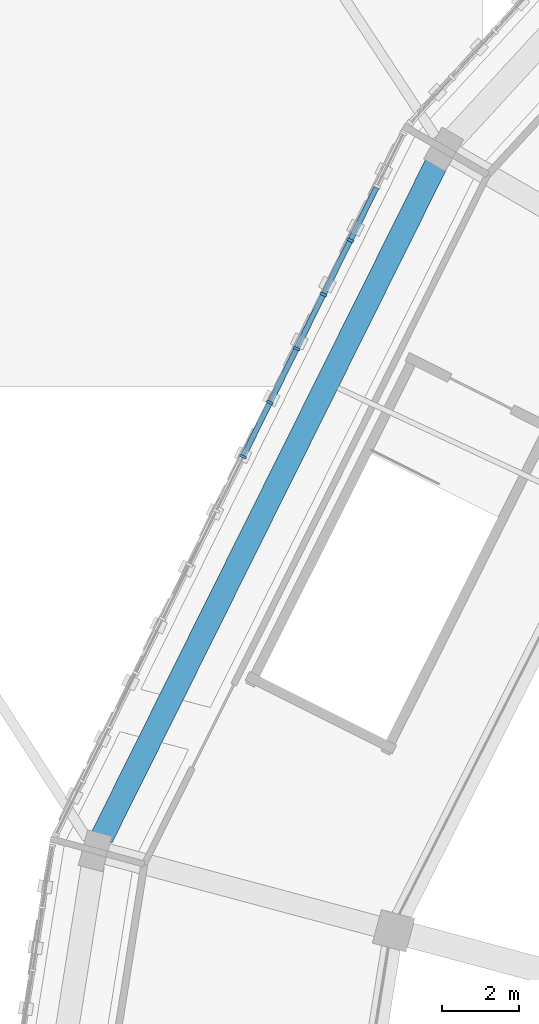
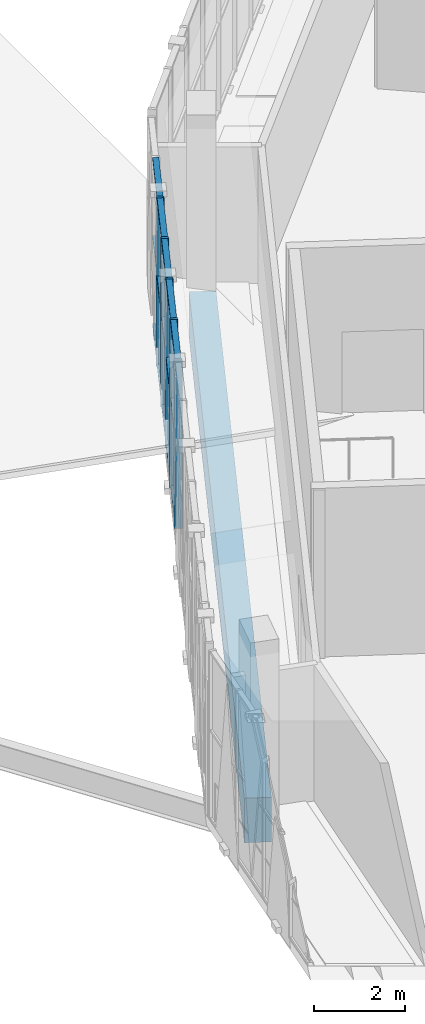
# One storey, part 17 of 108: 20 members, 1 beam, 1 element without a shape of its own.
"""IFC4 building model written with IfcOpenShell, lengths in metres."""

from ifc_helpers import new_model, si_unit, direction, frame, origin, origin_2d, place, context, subcontext, project, spatial, rectangle, extrude, material, material_profile, profile_set, type_object, element, aggregate, save


model = new_model("IFC4")

# Units and contexts
model_context = context("Model", 3, precision=1e-05, world=origin(), true_north=direction((0.0, 1.0)))
body_context = subcontext(model_context, "Body", "Model", "MODEL_VIEW")
ifc_project = project(units=[si_unit("LENGTHUNIT", "METRE"), si_unit("AREAUNIT", "SQUARE_METRE"), si_unit("VOLUMEUNIT", "CUBIC_METRE"), si_unit("PLANEANGLEUNIT", "RADIAN"), si_unit("MASSUNIT", "GRAM", prefix="KILO")], contexts=[model_context])

# Site, building, storey
site_placement = place(None, origin())
site = spatial("IfcSite", under=ifc_project, at=site_placement, CompositionType="ELEMENT")
building_placement = place(site_placement, origin())
building = spatial("IfcBuilding", under=site, at=building_placement, Name="Zevraka Park Crest Stadium", CompositionType="ELEMENT")
storey_placement = place(building_placement, frame((0.0, 0.0, 19.800048828125)))
storey = spatial("IfcBuildingStorey", under=building, at=storey_placement, Name="L04", CompositionType="ELEMENT", Elevation=19.800048828125)

# Curtain wall, members
ifc_material_1 = material(Name="Anodised architectural aluminium and laminated safety glass", Category="aluminium")
curtain_wall_type = type_object("IfcCurtainWallType", Name="CW17", PredefinedType="NOTDEFINED", material=ifc_material_1)
curtain_wall_placement = place(storey_placement, origin())
curtain_wall = element("IfcCurtainWall", 1, at=curtain_wall_placement, inside=storey, type_object=curtain_wall_type, Name="Unitised Ring Curtain Wall CW17 L04-10", PredefinedType="NOTDEFINED")
ifc_material_2 = material(Name="Anodised architectural aluminium", Category="aluminium")
ifc_material_profile_1 = material_profile(ifc_material_2, rectangle(XDim=0.179931640625, YDim=0.06494140625, at=origin_2d()), Name="ALU MULLION 180x65")
ifc_profile_set_1 = profile_set([ifc_material_profile_1], Name="Anodised architectural aluminium")
member_type_1 = type_object("IfcMemberType", Name="CM02", PredefinedType="MULLION", material=ifc_profile_set_1)
member_1_placement = place(storey_placement, frame((31.3818359375, 127.2890625, 0.0), z_axis=(0.0, 0.0, 1.0), x_axis=(0.896046076106, -0.443961067545, 0.0)))
member_1 = element("IfcMember", 2, at=member_1_placement, type_object=member_type_1, Name="CW17 mullion 3", PredefinedType="MULLION", context=body_context, shape_type="SweptSolid", body=[
    extrude(rectangle(XDim=0.179931640625, YDim=0.06494140625, at=origin_2d()), origin(), (0.0, 0.0, 1.0), 4.5400390625),
])
member_2_placement = place(storey_placement, frame((30.688232421875, 125.88916015625, 0.0), z_axis=(0.0, 0.0, 1.0), x_axis=(0.896046076106, -0.443961067545, 0.0)))
member_2 = element("IfcMember", 3, at=member_2_placement, type_object=member_type_1, Name="CW17 mullion 4", PredefinedType="MULLION", context=body_context, shape_type="SweptSolid", body=[
    extrude(rectangle(XDim=0.179931640625, YDim=0.06494140625, at=origin_2d()), origin(), (0.0, 0.0, 1.0), 4.5400390625),
])
member_3_placement = place(storey_placement, frame((29.99462890625, 124.4892578125, 0.0), z_axis=(0.0, 0.0, 1.0), x_axis=(0.896046076106, -0.443961067545, 0.0)))
member_3 = element("IfcMember", 4, at=member_3_placement, type_object=member_type_1, Name="CW17 mullion 5", PredefinedType="MULLION", context=body_context, shape_type="SweptSolid", body=[
    extrude(rectangle(XDim=0.179931640625, YDim=0.06494140625, at=origin_2d()), origin(), (0.0, 0.0, 1.0), 4.5400390625),
])
member_4_placement = place(storey_placement, frame((29.301025390625, 123.08935546875, 0.0), z_axis=(0.0, 0.0, 1.0), x_axis=(0.896046076106, -0.443961067545, 0.0)))
member_4 = element("IfcMember", 5, at=member_4_placement, type_object=member_type_1, Name="CW17 mullion 6", PredefinedType="MULLION", context=body_context, shape_type="SweptSolid", body=[
    extrude(rectangle(XDim=0.179931640625, YDim=0.06494140625, at=origin_2d()), origin(), (0.0, 0.0, 1.0), 4.5400390625),
])
member_5_placement = place(storey_placement, frame((28.607421875, 121.689453125, 0.0), z_axis=(0.0, 0.0, 1.0), x_axis=(0.896046076106, -0.443961067545, 0.0)))
member_5 = element("IfcMember", 6, at=member_5_placement, type_object=member_type_1, Name="CW17 mullion 7", PredefinedType="MULLION", context=body_context, shape_type="SweptSolid", body=[
    extrude(rectangle(XDim=0.179931640625, YDim=0.06494140625, at=origin_2d()), origin(), (0.0, 0.0, 1.0), 4.5400390625),
])
ifc_material_3 = material(Name="Anodised architectural aluminium", Category="aluminium")
ifc_material_profile_2 = material_profile(ifc_material_3, rectangle(XDim=0.139892578125, YDim=0.06494140625, at=origin_2d()), Name="ALU TRANSOM 140x65")
ifc_profile_set_2 = profile_set([ifc_material_profile_2], Name="Anodised architectural aluminium")
member_type_2 = type_object("IfcMemberType", Name="CT02", PredefinedType="USERDEFINED", material=ifc_profile_set_2)
member_6_placement = place(storey_placement, frame((32.06103515625, 128.659912109375, 0.032470703125), z_axis=(-0.444014747446, -0.896019477495, 0.0), x_axis=(0.896019477495, -0.444014747446, 0.0)))
member_6 = element("IfcMember", 7, at=member_6_placement, type_object=member_type_2, Name="CW17 transom 2.1", ObjectType="TRANSOM", PredefinedType="USERDEFINED", context=body_context, shape_type="SweptSolid", body=[
    extrude(rectangle(XDim=0.139892578125, YDim=0.06494140625, at=origin_2d()), origin(), (0.0, 0.0, 1.0), 1.497314453125),
])
member_7_placement = place(storey_placement, frame((32.06103515625, 128.659912109375, 2.39990234375), z_axis=(-0.444014747446, -0.896019477495, 0.0), x_axis=(0.896019477495, -0.444014747446, 0.0)))
member_7 = element("IfcMember", 8, at=member_7_placement, type_object=member_type_2, Name="CW17 transom 2.2", ObjectType="TRANSOM", PredefinedType="USERDEFINED", context=body_context, shape_type="SweptSolid", body=[
    extrude(rectangle(XDim=0.139892578125, YDim=0.06494140625, at=origin_2d()), origin(), (0.0, 0.0, 1.0), 1.497314453125),
])
member_8_placement = place(storey_placement, frame((32.06103515625, 128.659912109375, 4.507568359375), z_axis=(-0.444014747446, -0.896019477495, 0.0), x_axis=(0.896019477495, -0.444014747446, 0.0)))
member_8 = element("IfcMember", 9, at=member_8_placement, type_object=member_type_2, Name="CW17 transom 2.3", ObjectType="TRANSOM", PredefinedType="USERDEFINED", context=body_context, shape_type="SweptSolid", body=[
    extrude(rectangle(XDim=0.139892578125, YDim=0.06494140625, at=origin_2d()), origin(), (0.0, 0.0, 1.0), 1.497314453125),
])
member_9_placement = place(storey_placement, frame((31.367431640625, 127.260009765625, 0.032470703125), z_axis=(-0.444014747446, -0.896019477495, 0.0), x_axis=(0.896019477495, -0.444014747446, 0.0)))
member_9 = element("IfcMember", 10, at=member_9_placement, type_object=member_type_2, Name="CW17 transom 3.1", ObjectType="TRANSOM", PredefinedType="USERDEFINED", context=body_context, shape_type="SweptSolid", body=[
    extrude(rectangle(XDim=0.139892578125, YDim=0.06494140625, at=origin_2d()), origin(), (0.0, 0.0, 1.0), 1.497314453125),
])
member_10_placement = place(storey_placement, frame((31.367431640625, 127.260009765625, 2.39990234375), z_axis=(-0.444014747446, -0.896019477495, 0.0), x_axis=(0.896019477495, -0.444014747446, 0.0)))
member_10 = element("IfcMember", 11, at=member_10_placement, type_object=member_type_2, Name="CW17 transom 3.2", ObjectType="TRANSOM", PredefinedType="USERDEFINED", context=body_context, shape_type="SweptSolid", body=[
    extrude(rectangle(XDim=0.139892578125, YDim=0.06494140625, at=origin_2d()), origin(), (0.0, 0.0, 1.0), 1.497314453125),
])
member_11_placement = place(storey_placement, frame((31.367431640625, 127.260009765625, 4.507568359375), z_axis=(-0.444014747446, -0.896019477495, 0.0), x_axis=(0.896019477495, -0.444014747446, 0.0)))
member_11 = element("IfcMember", 12, at=member_11_placement, type_object=member_type_2, Name="CW17 transom 3.3", ObjectType="TRANSOM", PredefinedType="USERDEFINED", context=body_context, shape_type="SweptSolid", body=[
    extrude(rectangle(XDim=0.139892578125, YDim=0.06494140625, at=origin_2d()), origin(), (0.0, 0.0, 1.0), 1.497314453125),
])
member_12_placement = place(storey_placement, frame((30.673828125, 125.860107421875, 0.032470703125), z_axis=(-0.443949882668, -0.896051617754, 0.0), x_axis=(0.896051617754, -0.443949882668, 0.0)))
member_12 = element("IfcMember", 13, at=member_12_placement, type_object=member_type_2, Name="CW17 transom 4.1", ObjectType="TRANSOM", PredefinedType="USERDEFINED", context=body_context, shape_type="SweptSolid", body=[
    extrude(rectangle(XDim=0.139892578125, YDim=0.06494140625, at=origin_2d()), origin(), (0.0, 0.0, 1.0), 1.49755859375),
])
member_13_placement = place(storey_placement, frame((30.673828125, 125.860107421875, 2.39990234375), z_axis=(-0.443949882668, -0.896051617754, 0.0), x_axis=(0.896051617754, -0.443949882668, 0.0)))
member_13 = element("IfcMember", 14, at=member_13_placement, type_object=member_type_2, Name="CW17 transom 4.2", ObjectType="TRANSOM", PredefinedType="USERDEFINED", context=body_context, shape_type="SweptSolid", body=[
    extrude(rectangle(XDim=0.139892578125, YDim=0.06494140625, at=origin_2d()), origin(), (0.0, 0.0, 1.0), 1.49755859375),
])
member_14_placement = place(storey_placement, frame((30.673828125, 125.860107421875, 4.507568359375), z_axis=(-0.443949882668, -0.896051617754, 0.0), x_axis=(0.896051617754, -0.443949882668, 0.0)))
member_14 = element("IfcMember", 15, at=member_14_placement, type_object=member_type_2, Name="CW17 transom 4.3", ObjectType="TRANSOM", PredefinedType="USERDEFINED", context=body_context, shape_type="SweptSolid", body=[
    extrude(rectangle(XDim=0.139892578125, YDim=0.06494140625, at=origin_2d()), origin(), (0.0, 0.0, 1.0), 1.49755859375),
])
member_15_placement = place(storey_placement, frame((29.980224609375, 124.460205078125, 0.032470703125), z_axis=(-0.443949882668, -0.896051617754, 0.0), x_axis=(0.896051617754, -0.443949882668, 0.0)))
member_15 = element("IfcMember", 16, at=member_15_placement, type_object=member_type_2, Name="CW17 transom 5.1", ObjectType="TRANSOM", PredefinedType="USERDEFINED", context=body_context, shape_type="SweptSolid", body=[
    extrude(rectangle(XDim=0.139892578125, YDim=0.06494140625, at=origin_2d()), origin(), (0.0, 0.0, 1.0), 1.49755859375),
])
member_16_placement = place(storey_placement, frame((29.980224609375, 124.460205078125, 2.39990234375), z_axis=(-0.443949882668, -0.896051617754, 0.0), x_axis=(0.896051617754, -0.443949882668, 0.0)))
member_16 = element("IfcMember", 17, at=member_16_placement, type_object=member_type_2, Name="CW17 transom 5.2", ObjectType="TRANSOM", PredefinedType="USERDEFINED", context=body_context, shape_type="SweptSolid", body=[
    extrude(rectangle(XDim=0.139892578125, YDim=0.06494140625, at=origin_2d()), origin(), (0.0, 0.0, 1.0), 1.49755859375),
])
member_17_placement = place(storey_placement, frame((29.980224609375, 124.460205078125, 4.507568359375), z_axis=(-0.443949882668, -0.896051617754, 0.0), x_axis=(0.896051617754, -0.443949882668, 0.0)))
member_17 = element("IfcMember", 18, at=member_17_placement, type_object=member_type_2, Name="CW17 transom 5.3", ObjectType="TRANSOM", PredefinedType="USERDEFINED", context=body_context, shape_type="SweptSolid", body=[
    extrude(rectangle(XDim=0.139892578125, YDim=0.06494140625, at=origin_2d()), origin(), (0.0, 0.0, 1.0), 1.49755859375),
])
member_18_placement = place(storey_placement, frame((29.286376953125, 123.060302734375, 0.032470703125), z_axis=(-0.443818964624, -0.89611646935, 0.0), x_axis=(0.89611646935, -0.443818964624, 0.0)))
member_18 = element("IfcMember", 19, at=member_18_placement, type_object=member_type_2, Name="CW17 transom 6.1", ObjectType="TRANSOM", PredefinedType="USERDEFINED", context=body_context, shape_type="SweptSolid", body=[
    extrude(rectangle(XDim=0.139892578125, YDim=0.06494140625, at=origin_2d()), origin(), (0.0, 0.0, 1.0), 1.497314453125),
])
member_19_placement = place(storey_placement, frame((29.286376953125, 123.060302734375, 2.39990234375), z_axis=(-0.443818964624, -0.89611646935, 0.0), x_axis=(0.89611646935, -0.443818964624, 0.0)))
member_19 = element("IfcMember", 20, at=member_19_placement, type_object=member_type_2, Name="CW17 transom 6.2", ObjectType="TRANSOM", PredefinedType="USERDEFINED", context=body_context, shape_type="SweptSolid", body=[
    extrude(rectangle(XDim=0.139892578125, YDim=0.06494140625, at=origin_2d()), origin(), (0.0, 0.0, 1.0), 1.497314453125),
])
member_20_placement = place(storey_placement, frame((29.286376953125, 123.060302734375, 4.507568359375), z_axis=(-0.443818964624, -0.89611646935, 0.0), x_axis=(0.89611646935, -0.443818964624, 0.0)))
member_20 = element("IfcMember", 21, at=member_20_placement, type_object=member_type_2, Name="CW17 transom 6.3", ObjectType="TRANSOM", PredefinedType="USERDEFINED", context=body_context, shape_type="SweptSolid", body=[
    extrude(rectangle(XDim=0.139892578125, YDim=0.06494140625, at=origin_2d()), origin(), (0.0, 0.0, 1.0), 1.497314453125),
])
aggregate(curtain_wall, [member_1, member_2, member_3, member_4, member_5, member_6, member_7, member_8, member_9, member_10, member_11, member_12, member_13, member_14, member_15, member_16, member_17, member_18, member_19, member_20])

# Beam
ifc_material_4 = material(Name="Concrete C40/50", Category="concrete")
ifc_material_profile_3 = material_profile(ifc_material_4, rectangle(XDim=0.60009765625, YDim=1.199951171875, at=origin_2d()), Name="RC 1200x600")
ifc_profile_set_3 = profile_set([ifc_material_profile_3], Name="Concrete C40/50")
beam_type = type_object("IfcBeamType", Name="RB01", PredefinedType="BEAM", material=ifc_profile_set_3)
beam_placement = place(storey_placement, frame((33.62890625, 129.31005859375, -0.610107421875), z_axis=(-0.444850507814, -0.895604837916, 0.0), x_axis=(0.895604837916, -0.444850507814, 0.0)))
element("IfcBeam", 22, at=beam_placement, inside=storey, type_object=beam_type, Name="Ring Beam RB01 L04-D-10", PredefinedType="BEAM", context=body_context, shape_type="SweptSolid", body=[
    extrude(rectangle(XDim=0.60009765625, YDim=1.199951171875, at=origin_2d()), origin(), (0.0, 0.0, 1.0), 19.5185546875),
])

save(model, "model.ifc")
